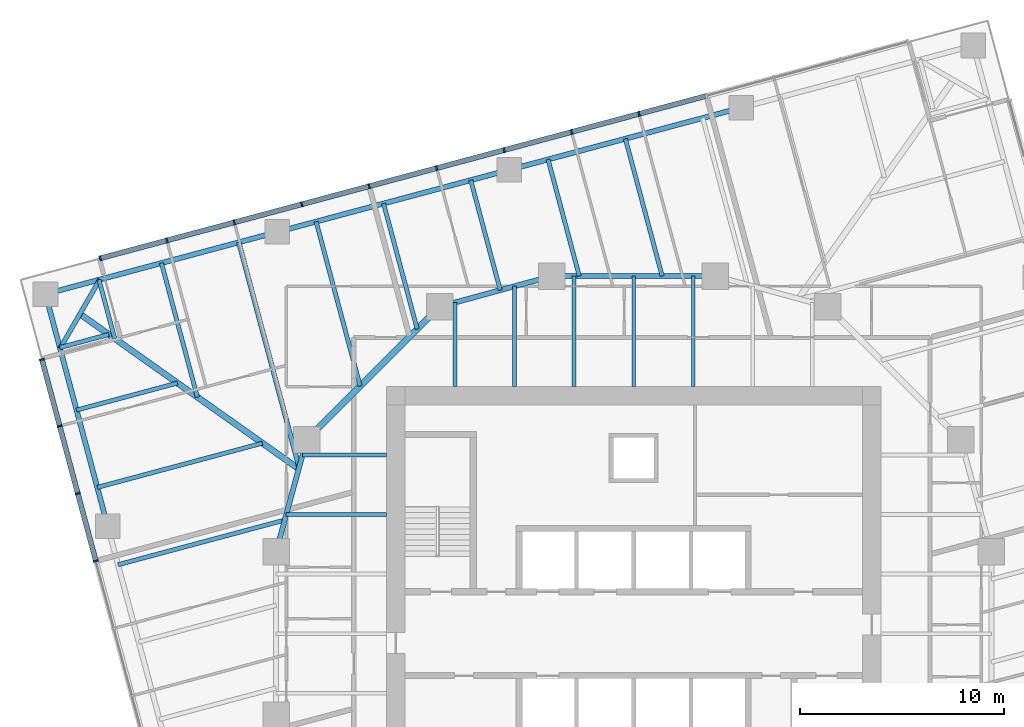
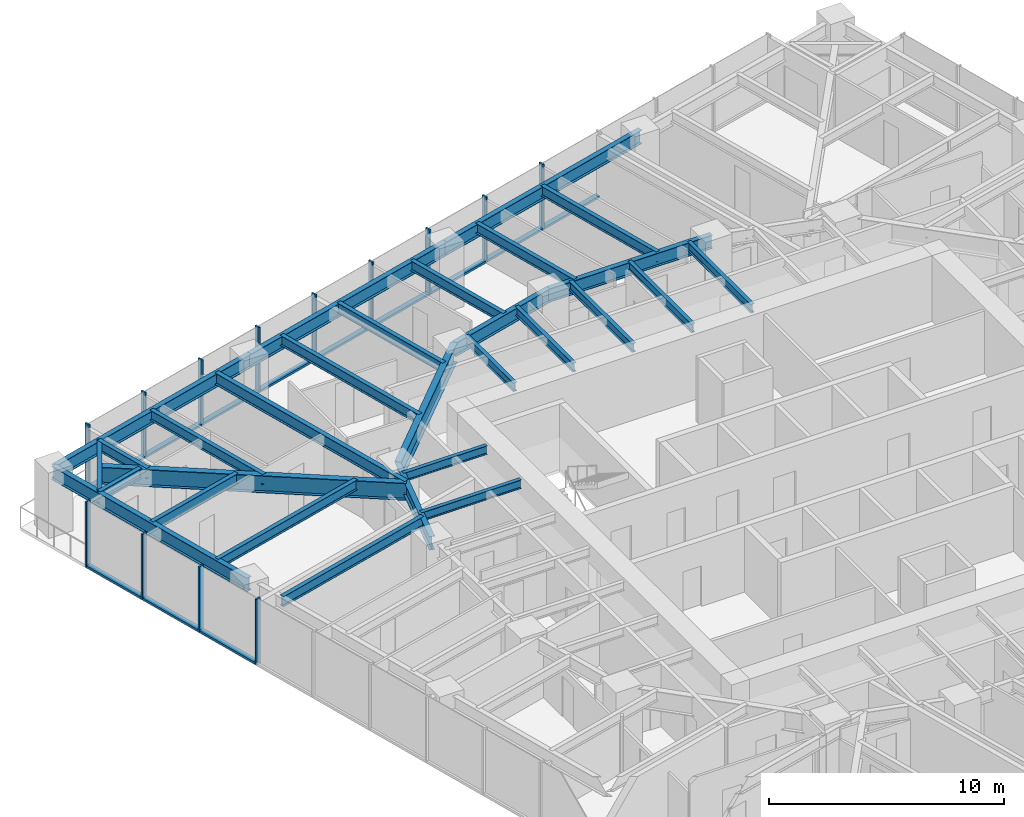
# One storey, part 5 of 13: 29 beams, 25 members, 2 elements without a shape of their own.
"""IFC4 building model written with IfcOpenShell, lengths in metres."""

from ifc_helpers import new_model, si_unit, direction, frame, origin, origin_2d, place, context, subcontext, project, spatial, rectangle, i_section, extrude, material, material_profile, profile_set, type_object, element, aggregate, save


model = new_model("IFC4")

# Units and contexts
model_context = context("Model", 3, precision=1e-05, world=origin(), true_north=direction((0.0, 1.0)))
body_context = subcontext(model_context, "Body", "Model", "MODEL_VIEW")
ifc_project = project(units=[si_unit("LENGTHUNIT", "METRE"), si_unit("AREAUNIT", "SQUARE_METRE"), si_unit("VOLUMEUNIT", "CUBIC_METRE"), si_unit("PLANEANGLEUNIT", "RADIAN"), si_unit("MASSUNIT", "GRAM", prefix="KILO")], contexts=[model_context])

# Site, building, storey
site_placement = place(None, origin())
site = spatial("IfcSite", under=ifc_project, at=site_placement, CompositionType="ELEMENT")
building_placement = place(site_placement, origin())
building = spatial("IfcBuilding", under=site, at=building_placement, Name="Torsade Residences", CompositionType="ELEMENT")
storey_placement = place(building_placement, frame((0.0, 0.0, 115.0)))
storey = spatial("IfcBuildingStorey", under=building, at=storey_placement, Name="L31", CompositionType="ELEMENT", Elevation=115.0)

# Beams
ifc_material_1 = material(Name="Steel grade 300", Category="steel")
ifc_material_profile_1 = material_profile(ifc_material_1, i_section(OverallWidth=0.300048828125, OverallDepth=0.89990234375, WebThickness=0.011962890625, FlangeThickness=0.02490234375, at=origin_2d()), Name="900WB175")
ifc_profile_set_1 = profile_set([ifc_material_profile_1], Name="Steel grade 300")
beam_type_1 = type_object("IfcBeamType", Name="CORNER GIRDER 900WB175", PredefinedType="BEAM", material=ifc_profile_set_1)
beam_1_placement = place(storey_placement, frame((12.902587890625, 45.644775390625, 2.800048828125), z_axis=(0.816261084801, -0.577683167004, 0.0), x_axis=(0.577683167004, 0.816261084801, 0.0)))
element("IfcBeam", 1, at=beam_1_placement, inside=storey, type_object=beam_type_1, Name="Corner girder 13 L32", PredefinedType="BEAM", context=body_context, shape_type="SweptSolid", body=[
    extrude(i_section(OverallWidth=0.300048828125, OverallDepth=0.89990234375, WebThickness=0.011962890625, FlangeThickness=0.02490234375, at=origin_2d()), origin(), (0.0, 0.0, 1.0), 13.116943359375),
])
ifc_material_2 = material(Name="Steel grade 300", Category="steel")
ifc_material_profile_2 = material_profile(ifc_material_2, i_section(OverallWidth=0.22802734375, OverallDepth=0.60205078125, WebThickness=0.010498046875, FlangeThickness=0.014892578125, FilletRadius=0.013916015625, at=origin_2d()), Name="610UB101")
ifc_profile_set_2 = profile_set([ifc_material_profile_2], Name="Steel grade 300")
beam_type_2 = type_object("IfcBeamType", Name="CORNER TRIMMER 610UB101", PredefinedType="BEAM", material=ifc_profile_set_2)
beam_2_placement = place(storey_placement, frame((11.93017578125, 43.960693359375, 2.948974609375), z_axis=(0.499994147244, 0.866028782848, 0.0), x_axis=(-0.866028782848, 0.499994147244, 0.0)))
element("IfcBeam", 2, at=beam_2_placement, inside=storey, type_object=beam_type_2, Name="Corner trimmer 13 L32", PredefinedType="BEAM", context=body_context, shape_type="SweptSolid", body=[
    extrude(i_section(OverallWidth=0.22802734375, OverallDepth=0.60205078125, WebThickness=0.010498046875, FlangeThickness=0.014892578125, FilletRadius=0.013916015625, at=origin_2d()), origin(), (0.0, 0.0, 1.0), 3.88916015625),
])
ifc_material_3 = material(Name="Steel grade 300", Category="steel")
ifc_material_profile_3 = material_profile(ifc_material_3, i_section(OverallWidth=0.25, OverallDepth=0.699951171875, WebThickness=0.010009765625, FlangeThickness=0.02001953125, at=origin_2d()), Name="700WB130")
ifc_profile_set_3 = profile_set([ifc_material_profile_3], Name="Steel grade 300")
beam_type_3 = type_object("IfcBeamType", Name="EDGE BEAM 700WB130", PredefinedType="SPANDREL", material=ifc_profile_set_3)
for number, where, z_axis, x_axis, name in (
    (3, (45.267333984375, 55.740478515625, 2.89990234375), (-0.965922824118, -0.258830249097, 0.0), (0.258830249097, -0.965922824118, 0.0), "Edge beam 10 L32"),
    (4, (33.917724609375, 52.69921875, 2.89990234375), (-0.965928018634, -0.258810863021, 0.0), (0.258810863021, -0.965928018634, 0.0), "Edge beam 11 L32"),
    (5, (22.568115234375, 49.658203125, 2.89990234375), (-0.965922824118, -0.258830249097, 0.0), (0.258830249097, -0.965922824118, 0.0), "Edge beam 12 L32"),
    (6, (11.218505859375, 46.616943359375, 2.89990234375), (0.258810863021, -0.965928018634, 0.0), (0.965928018634, 0.258810863021, 0.0), "Edge beam 13 L32"),
):
    element("IfcBeam", number, at=place(storey_placement, frame(where, z_axis=z_axis, x_axis=x_axis)), inside=storey, type_object=beam_type_3, Name=name, PredefinedType="SPANDREL", context=body_context, shape_type="SweptSolid", body=[
        extrude(i_section(OverallWidth=0.25, OverallDepth=0.699951171875, WebThickness=0.010009765625, FlangeThickness=0.02001953125, at=origin_2d()), origin(), (0.0, 0.0, 1.0), 11.75),
    ])
ifc_material_4 = material(Name="Steel grade 300", Category="steel")
ifc_material_profile_4 = material_profile(ifc_material_4, i_section(OverallWidth=0.18994140625, OverallDepth=0.4541015625, WebThickness=0.008544921875, FlangeThickness=0.0126953125, FilletRadius=0.011474609375, at=origin_2d()), Name="460UB67.1")
ifc_profile_set_4 = profile_set([ifc_material_profile_4], Name="Steel grade 300")
beam_type_4 = type_object("IfcBeamType", Name="INNER FLOOR BEAM 460UB67.1", PredefinedType="JOIST", material=ifc_profile_set_4)
beam_3_placement = place(storey_placement, frame((31.262451171875, 42.10009765625, 3.02294921875), z_axis=(0.0, 1.0, 0.0), x_axis=(-1.0, 0.0, 0.0)))
element("IfcBeam", 7, at=beam_3_placement, inside=storey, type_object=beam_type_4, Name="Inner floor beam IN01 L32", PredefinedType="JOIST", context=body_context, shape_type="SweptSolid", body=[
    extrude(i_section(OverallWidth=0.18994140625, OverallDepth=0.4541015625, WebThickness=0.008544921875, FlangeThickness=0.0126953125, FilletRadius=0.011474609375, at=origin_2d()), origin(), (0.0, 0.0, 1.0), 4.10791015625),
])
beam_4_placement = place(storey_placement, frame((34.175048828125, 42.10009765625, 3.02294921875), z_axis=(0.0, 1.0, 0.0), x_axis=(-1.0, 0.0, 0.0)))
element("IfcBeam", 8, at=beam_4_placement, inside=storey, type_object=beam_type_4, Name="Inner floor beam IN02 L32", PredefinedType="JOIST", context=body_context, shape_type="SweptSolid", body=[
    extrude(i_section(OverallWidth=0.18994140625, OverallDepth=0.4541015625, WebThickness=0.008544921875, FlangeThickness=0.0126953125, FilletRadius=0.011474609375, at=origin_2d()), origin(), (0.0, 0.0, 1.0), 4.902099609375),
])
for number, where, z_axis, x_axis, name in (
    (9, (37.08740234375, 42.10009765625, 3.02294921875), (0.0, 1.0, 0.0), (-1.0, 0.0, 0.0), "Inner floor beam IN03 L32"),
    (10, (40.0, 42.10009765625, 3.02294921875), (0.0, 1.0, 0.0), (-1.0, 0.0, 0.0), "Inner floor beam IN04 L32"),
    (11, (42.91259765625, 42.10009765625, 3.02294921875), (0.0, 1.0, 0.0), (-1.0, 0.0, 0.0), "Inner floor beam IN05 L32"),
):
    element("IfcBeam", number, at=place(storey_placement, frame(where, z_axis=z_axis, x_axis=x_axis)), inside=storey, type_object=beam_type_4, Name=name, PredefinedType="JOIST", context=body_context, shape_type="SweptSolid", body=[
        extrude(i_section(OverallWidth=0.18994140625, OverallDepth=0.4541015625, WebThickness=0.008544921875, FlangeThickness=0.0126953125, FilletRadius=0.011474609375, at=origin_2d()), origin(), (0.0, 0.0, 1.0), 5.39990234375),
    ])
beam_5_placement = place(storey_placement, frame((27.89990234375, 38.737548828125, 3.02294921875), z_axis=(-1.0, 0.0, 0.0), x_axis=(0.0, -1.0, 0.0)))
element("IfcBeam", 12, at=beam_5_placement, inside=storey, type_object=beam_type_4, Name="Inner floor beam IW01 L32", PredefinedType="JOIST", context=body_context, shape_type="SweptSolid", body=[
    extrude(i_section(OverallWidth=0.18994140625, OverallDepth=0.4541015625, WebThickness=0.008544921875, FlangeThickness=0.0126953125, FilletRadius=0.011474609375, at=origin_2d()), origin(), (0.0, 0.0, 1.0), 4.10791015625),
])
beam_6_placement = place(storey_placement, frame((27.89990234375, 35.824951171875, 3.02294921875), z_axis=(-1.0, 0.0, 0.0), x_axis=(0.0, -1.0, 0.0)))
element("IfcBeam", 13, at=beam_6_placement, inside=storey, type_object=beam_type_4, Name="Inner floor beam IW02 L32", PredefinedType="JOIST", context=body_context, shape_type="SweptSolid", body=[
    extrude(i_section(OverallWidth=0.18994140625, OverallDepth=0.4541015625, WebThickness=0.008544921875, FlangeThickness=0.0126953125, FilletRadius=0.011474609375, at=origin_2d()), origin(), (0.0, 0.0, 1.0), 4.902099609375),
])

# Curtain wall, members
ifc_material_5 = material(Name="Aluminium and glass", Category="aluminium")
curtain_wall_type = type_object("IfcCurtainWallType", Name="FRITTED GLASS CURTAIN WALL MID ZONE", PredefinedType="NOTDEFINED", material=ifc_material_5)
curtain_wall_1_placement = place(storey_placement, origin())
curtain_wall_1 = element("IfcCurtainWall", 14, at=curtain_wall_1_placement, inside=storey, type_object=curtain_wall_type, Name="Curtain wall L31 face 7", PredefinedType="NOTDEFINED")
ifc_material_6 = material(Name="Aluminium mullion", Category="aluminium")
ifc_material_profile_5 = material_profile(ifc_material_6, rectangle(XDim=0.25, YDim=0.080078125, at=origin_2d()), Name="MID ZONE CURTAIN WALL MULLION 250x80")
ifc_profile_set_5 = profile_set([ifc_material_profile_5], Name="Aluminium mullion")
member_type_1 = type_object("IfcMemberType", Name="MID ZONE CURTAIN WALL MULLION 250x80", PredefinedType="MULLION", material=ifc_profile_set_5)
member_1_placement = place(storey_placement, frame((40.259521484375, 55.433837890625, 0.0), z_axis=(0.0, 0.0, 1.0), x_axis=(0.258819047783, -0.965925825571, 0.0)))
member_1 = element("IfcMember", 15, at=member_1_placement, type_object=member_type_1, Name="Mullion 5", PredefinedType="MULLION", context=body_context, shape_type="SweptSolid", body=[
    extrude(rectangle(XDim=0.25, YDim=0.080078125, at=origin_2d()), origin(), (0.0, 0.0, 1.0), 3.39990234375),
])
member_2_placement = place(storey_placement, frame((36.959228515625, 54.549560546875, 0.0), z_axis=(0.0, 0.0, 1.0), x_axis=(0.258819047783, -0.965925825571, 0.0)))
member_2 = element("IfcMember", 16, at=member_2_placement, type_object=member_type_1, Name="Mullion 6", PredefinedType="MULLION", context=body_context, shape_type="SweptSolid", body=[
    extrude(rectangle(XDim=0.25, YDim=0.080078125, at=origin_2d()), origin(), (0.0, 0.0, 1.0), 3.39990234375),
])
member_3_placement = place(storey_placement, frame((33.658935546875, 53.665283203125, 0.0), z_axis=(0.0, 0.0, 1.0), x_axis=(0.258819047783, -0.965925825571, 0.0)))
member_3 = element("IfcMember", 17, at=member_3_placement, type_object=member_type_1, Name="Mullion 7", PredefinedType="MULLION", context=body_context, shape_type="SweptSolid", body=[
    extrude(rectangle(XDim=0.25, YDim=0.080078125, at=origin_2d()), origin(), (0.0, 0.0, 1.0), 3.39990234375),
])
member_4_placement = place(storey_placement, frame((30.358642578125, 52.781005859375, 0.0), z_axis=(0.0, 0.0, 1.0), x_axis=(0.258819047783, -0.965925825571, 0.0)))
member_4 = element("IfcMember", 18, at=member_4_placement, type_object=member_type_1, Name="Mullion 8", PredefinedType="MULLION", context=body_context, shape_type="SweptSolid", body=[
    extrude(rectangle(XDim=0.25, YDim=0.080078125, at=origin_2d()), origin(), (0.0, 0.0, 1.0), 3.39990234375),
])
member_5_placement = place(storey_placement, frame((27.058349609375, 51.896484375, 0.0), z_axis=(0.0, 0.0, 1.0), x_axis=(0.258819047783, -0.965925825571, 0.0)))
member_5 = element("IfcMember", 19, at=member_5_placement, type_object=member_type_1, Name="Mullion 9", PredefinedType="MULLION", context=body_context, shape_type="SweptSolid", body=[
    extrude(rectangle(XDim=0.25, YDim=0.080078125, at=origin_2d()), origin(), (0.0, 0.0, 1.0), 3.39990234375),
])
member_6_placement = place(storey_placement, frame((23.75830078125, 51.01220703125, 0.0), z_axis=(0.0, 0.0, 1.0), x_axis=(0.258819047783, -0.965925825571, 0.0)))
member_6 = element("IfcMember", 20, at=member_6_placement, type_object=member_type_1, Name="Mullion 10", PredefinedType="MULLION", context=body_context, shape_type="SweptSolid", body=[
    extrude(rectangle(XDim=0.25, YDim=0.080078125, at=origin_2d()), origin(), (0.0, 0.0, 1.0), 3.39990234375),
])
member_7_placement = place(storey_placement, frame((20.4580078125, 50.1279296875, 0.0), z_axis=(0.0, 0.0, 1.0), x_axis=(0.258819047783, -0.965925825571, 0.0)))
member_7 = element("IfcMember", 21, at=member_7_placement, type_object=member_type_1, Name="Mullion 11", PredefinedType="MULLION", context=body_context, shape_type="SweptSolid", body=[
    extrude(rectangle(XDim=0.25, YDim=0.080078125, at=origin_2d()), origin(), (0.0, 0.0, 1.0), 3.39990234375),
])
member_8_placement = place(storey_placement, frame((17.15771484375, 49.24365234375, 0.0), z_axis=(0.0, 0.0, 1.0), x_axis=(0.258819047783, -0.965925825571, 0.0)))
member_8 = element("IfcMember", 22, at=member_8_placement, type_object=member_type_1, Name="Mullion 12", PredefinedType="MULLION", context=body_context, shape_type="SweptSolid", body=[
    extrude(rectangle(XDim=0.25, YDim=0.080078125, at=origin_2d()), origin(), (0.0, 0.0, 1.0), 3.39990234375),
])
member_9_placement = place(storey_placement, frame((13.89599609375, 48.36962890625, 0.0), z_axis=(0.0, 0.0, 1.0), x_axis=(0.258819047783, -0.965925825571, 0.0)))
member_9 = element("IfcMember", 23, at=member_9_placement, type_object=member_type_1, Name="Mullion 13", PredefinedType="MULLION", context=body_context, shape_type="SweptSolid", body=[
    extrude(rectangle(XDim=0.25, YDim=0.080078125, at=origin_2d()), origin(), (0.0, 0.0, 1.0), 3.39990234375),
])

curtain_wall_2_placement = place(storey_placement, origin())
curtain_wall_2 = element("IfcCurtainWall", 24, at=curtain_wall_2_placement, inside=storey, type_object=curtain_wall_type, Name="Curtain wall L31 face 10", PredefinedType="NOTDEFINED")
member_10_placement = place(storey_placement, frame((11.039306640625, 43.421875, 0.0), z_axis=(0.0, 0.0, 1.0), x_axis=(0.965925825571, 0.258819047783, 0.0)))
member_10 = element("IfcMember", 25, at=member_10_placement, type_object=member_type_1, Name="Mullion 1", PredefinedType="MULLION", context=body_context, shape_type="SweptSolid", body=[
    extrude(rectangle(XDim=0.25, YDim=0.080078125, at=origin_2d()), origin(), (0.0, 0.0, 1.0), 3.39990234375),
])
member_11_placement = place(storey_placement, frame((11.913330078125, 40.16015625, 0.0), z_axis=(0.0, 0.0, 1.0), x_axis=(0.965925825571, 0.258819047783, 0.0)))
member_11 = element("IfcMember", 26, at=member_11_placement, type_object=member_type_1, Name="Mullion 2", PredefinedType="MULLION", context=body_context, shape_type="SweptSolid", body=[
    extrude(rectangle(XDim=0.25, YDim=0.080078125, at=origin_2d()), origin(), (0.0, 0.0, 1.0), 3.39990234375),
])
member_12_placement = place(storey_placement, frame((12.797607421875, 36.85986328125, 0.0), z_axis=(0.0, 0.0, 1.0), x_axis=(0.965925825571, 0.258819047783, 0.0)))
member_12 = element("IfcMember", 27, at=member_12_placement, type_object=member_type_1, Name="Mullion 3", PredefinedType="MULLION", context=body_context, shape_type="SweptSolid", body=[
    extrude(rectangle(XDim=0.25, YDim=0.080078125, at=origin_2d()), origin(), (0.0, 0.0, 1.0), 3.39990234375),
])
member_13_placement = place(storey_placement, frame((13.681884765625, 33.5595703125, 0.0), z_axis=(0.0, 0.0, 1.0), x_axis=(0.965925825571, 0.258819047783, 0.0)))
member_13 = element("IfcMember", 28, at=member_13_placement, type_object=member_type_1, Name="Mullion 4", PredefinedType="MULLION", context=body_context, shape_type="SweptSolid", body=[
    extrude(rectangle(XDim=0.25, YDim=0.080078125, at=origin_2d()), origin(), (0.0, 0.0, 1.0), 3.39990234375),
])

# Member
ifc_material_7 = material(Name="Aluminium transom", Category="aluminium")
ifc_material_profile_6 = material_profile(ifc_material_7, rectangle(XDim=0.25, YDim=0.110107421875, at=origin_2d()), Name="MID ZONE CURTAIN WALL TRANSOM 250x110")
ifc_profile_set_6 = profile_set([ifc_material_profile_6], Name="Aluminium transom")
member_type_2 = type_object("IfcMemberType", Name="MID ZONE CURTAIN WALL TRANSOM 250x110", PredefinedType="USERDEFINED", material=ifc_profile_set_6)
member_14_placement = place(storey_placement, frame((43.52099609375, 56.3076171875, 0.054931640625), z_axis=(-0.965929435155, -0.258805576255, 0.0), x_axis=(0.258805576255, -0.965929435155, 0.0)))
member_14 = element("IfcMember", 29, at=member_14_placement, type_object=member_type_2, Name="Transom 4.1", ObjectType="TRANSOM", PredefinedType="USERDEFINED", context=body_context, shape_type="SweptSolid", body=[
    extrude(rectangle(XDim=0.25, YDim=0.110107421875, at=origin_2d()), origin(), (0.0, 0.0, 1.0), 3.336669921875),
])

member_15_placement = place(storey_placement, frame((40.220703125, 55.42333984375, 0.054931640625), z_axis=(-0.965929435155, -0.258805576255, 0.0), x_axis=(0.258805576255, -0.965929435155, 0.0)))
member_15 = element("IfcMember", 30, at=member_15_placement, type_object=member_type_2, Name="Transom 5.1", ObjectType="TRANSOM", PredefinedType="USERDEFINED", context=body_context, shape_type="SweptSolid", body=[
    extrude(rectangle(XDim=0.25, YDim=0.110107421875, at=origin_2d()), origin(), (0.0, 0.0, 1.0), 3.336669921875),
])

member_16_placement = place(storey_placement, frame((36.920654296875, 54.5390625, 0.054931640625), z_axis=(-0.965934335648, -0.258787285653, 0.0), x_axis=(0.258787285653, -0.965934335648, 0.0)))
member_16 = element("IfcMember", 31, at=member_16_placement, type_object=member_type_2, Name="Transom 6.1", ObjectType="TRANSOM", PredefinedType="USERDEFINED", context=body_context, shape_type="SweptSolid", body=[
    extrude(rectangle(XDim=0.25, YDim=0.110107421875, at=origin_2d()), origin(), (0.0, 0.0, 1.0), 3.3369140625),
])

member_17_placement = place(storey_placement, frame((33.620361328125, 53.65478515625, 0.054931640625), z_axis=(-0.965934335648, -0.258787285653, 0.0), x_axis=(0.258787285653, -0.965934335648, 0.0)))
member_17 = element("IfcMember", 32, at=member_17_placement, type_object=member_type_2, Name="Transom 7.1", ObjectType="TRANSOM", PredefinedType="USERDEFINED", context=body_context, shape_type="SweptSolid", body=[
    extrude(rectangle(XDim=0.25, YDim=0.110107421875, at=origin_2d()), origin(), (0.0, 0.0, 1.0), 3.3369140625),
])

member_18_placement = place(storey_placement, frame((30.320068359375, 52.7705078125, 0.054931640625), z_axis=(-0.965929435155, -0.258805576255, 0.0), x_axis=(0.258805576255, -0.965929435155, 0.0)))
member_18 = element("IfcMember", 33, at=member_18_placement, type_object=member_type_2, Name="Transom 8.1", ObjectType="TRANSOM", PredefinedType="USERDEFINED", context=body_context, shape_type="SweptSolid", body=[
    extrude(rectangle(XDim=0.25, YDim=0.110107421875, at=origin_2d()), origin(), (0.0, 0.0, 1.0), 3.336669921875),
])

member_19_placement = place(storey_placement, frame((27.019775390625, 51.88623046875, 0.054931640625), z_axis=(-0.965929435155, -0.258805576255, 0.0), x_axis=(0.258805576255, -0.965929435155, 0.0)))
member_19 = element("IfcMember", 34, at=member_19_placement, type_object=member_type_2, Name="Transom 9.1", ObjectType="TRANSOM", PredefinedType="USERDEFINED", context=body_context, shape_type="SweptSolid", body=[
    extrude(rectangle(XDim=0.25, YDim=0.110107421875, at=origin_2d()), origin(), (0.0, 0.0, 1.0), 3.336669921875),
])

member_20_placement = place(storey_placement, frame((23.719482421875, 51.001953125, 0.054931640625), z_axis=(-0.965929435155, -0.258805576255, 0.0), x_axis=(0.258805576255, -0.965929435155, 0.0)))
member_20 = element("IfcMember", 35, at=member_20_placement, type_object=member_type_2, Name="Transom 10.1", ObjectType="TRANSOM", PredefinedType="USERDEFINED", context=body_context, shape_type="SweptSolid", body=[
    extrude(rectangle(XDim=0.25, YDim=0.110107421875, at=origin_2d()), origin(), (0.0, 0.0, 1.0), 3.336669921875),
])

member_21_placement = place(storey_placement, frame((20.419189453125, 50.11767578125, 0.054931640625), z_axis=(-0.965929435155, -0.258805576255, 0.0), x_axis=(0.258805576255, -0.965929435155, 0.0)))
member_21 = element("IfcMember", 36, at=member_21_placement, type_object=member_type_2, Name="Transom 11.1", ObjectType="TRANSOM", PredefinedType="USERDEFINED", context=body_context, shape_type="SweptSolid", body=[
    extrude(rectangle(XDim=0.25, YDim=0.110107421875, at=origin_2d()), origin(), (0.0, 0.0, 1.0), 3.336669921875),
])

member_22_placement = place(storey_placement, frame((17.119140625, 49.2333984375, 0.054931640625), z_axis=(-0.965923258633, -0.258828627534, 0.0), x_axis=(0.258828627534, -0.965923258633, 0.0)))
member_22 = element("IfcMember", 37, at=member_22_placement, type_object=member_type_2, Name="Transom 12.1", ObjectType="TRANSOM", PredefinedType="USERDEFINED", context=body_context, shape_type="SweptSolid", body=[
    extrude(rectangle(XDim=0.25, YDim=0.110107421875, at=origin_2d()), origin(), (0.0, 0.0, 1.0), 3.296630859375),
])

aggregate(curtain_wall_1, [member_1, member_2, member_3, member_4, member_5, member_6, member_7, member_8, member_9, member_14, member_15, member_16, member_17, member_18, member_19, member_20, member_21, member_22])

member_23_placement = place(storey_placement, frame((11.0498046875, 43.383056640625, 0.054931640625), z_axis=(0.258828627534, -0.965923258633, 0.0), x_axis=(0.965923258633, 0.258828627534, 0.0)))
member_23 = element("IfcMember", 38, at=member_23_placement, type_object=member_type_2, Name="Transom 1.1", ObjectType="TRANSOM", PredefinedType="USERDEFINED", context=body_context, shape_type="SweptSolid", body=[
    extrude(rectangle(XDim=0.25, YDim=0.110107421875, at=origin_2d()), origin(), (0.0, 0.0, 1.0), 3.296630859375),
])

member_24_placement = place(storey_placement, frame((11.923583984375, 40.12158203125, 0.054931640625), z_axis=(0.258855549498, -0.965916044226, 0.0), x_axis=(0.965916044226, 0.258855549498, 0.0)))
member_24 = element("IfcMember", 39, at=member_24_placement, type_object=member_type_2, Name="Transom 2.1", ObjectType="TRANSOM", PredefinedType="USERDEFINED", context=body_context, shape_type="SweptSolid", body=[
    extrude(rectangle(XDim=0.25, YDim=0.110107421875, at=origin_2d()), origin(), (0.0, 0.0, 1.0), 3.3369140625),
])

member_25_placement = place(storey_placement, frame((12.807861328125, 36.8212890625, 0.054931640625), z_axis=(0.258873844232, -0.96591114124, 0.0), x_axis=(0.96591114124, 0.258873844232, 0.0)))
member_25 = element("IfcMember", 40, at=member_25_placement, type_object=member_type_2, Name="Transom 3.1", ObjectType="TRANSOM", PredefinedType="USERDEFINED", context=body_context, shape_type="SweptSolid", body=[
    extrude(rectangle(XDim=0.25, YDim=0.110107421875, at=origin_2d()), origin(), (0.0, 0.0, 1.0), 3.336669921875),
])

aggregate(curtain_wall_2, [member_10, member_11, member_12, member_13, member_23, member_24, member_25])

# Beams
ifc_material_8 = material(Name="Steel grade 300", Category="steel")
ifc_material_profile_7 = material_profile(ifc_material_8, i_section(OverallWidth=0.300048828125, OverallDepth=1.0, WebThickness=0.01611328125, FlangeThickness=0.028076171875, at=origin_2d()), Name="1000WB215")
ifc_profile_set_7 = profile_set([ifc_material_profile_7], Name="Steel grade 300")
beam_type_5 = type_object("IfcBeamType", Name="RING CORNER GIRDER 1000WB215", PredefinedType="BEAM", material=ifc_profile_set_7)
beam_7_placement = place(storey_placement, frame((30.5, 46.0, 2.75), z_axis=(-0.707106781187, -0.707106781187, 0.0), x_axis=(0.707106781187, -0.707106781187, 0.0)))
element("IfcBeam", 41, at=beam_7_placement, inside=storey, type_object=beam_type_5, Name="Ring girder IR07 L32", PredefinedType="BEAM", context=body_context, shape_type="SweptSolid", body=[
    extrude(i_section(OverallWidth=0.300048828125, OverallDepth=1.0, WebThickness=0.01611328125, FlangeThickness=0.028076171875, at=origin_2d()), origin(), (0.0, 0.0, 1.0), 9.1923828125),
])
ifc_material_9 = material(Name="Steel grade 300", Category="steel")
ifc_material_profile_8 = material_profile(ifc_material_9, i_section(OverallWidth=0.25, OverallDepth=0.699951171875, WebThickness=0.010009765625, FlangeThickness=0.02001953125, at=origin_2d()), Name="700WB130")
ifc_profile_set_8 = profile_set([ifc_material_profile_8], Name="Steel grade 300")
beam_type_6 = type_object("IfcBeamType", Name="RING GIRDER 700WB130", PredefinedType="BEAM", material=ifc_profile_set_8)
beam_8_placement = place(storey_placement, frame((44.0, 47.5, 2.89990234375), z_axis=(-1.0, 0.0, 0.0), x_axis=(0.0, -1.0, 0.0)))
element("IfcBeam", 42, at=beam_8_placement, inside=storey, type_object=beam_type_6, Name="Ring girder IR05 L32", PredefinedType="BEAM", context=body_context, shape_type="SweptSolid", body=[
    extrude(i_section(OverallWidth=0.25, OverallDepth=0.699951171875, WebThickness=0.010009765625, FlangeThickness=0.02001953125, at=origin_2d()), origin(), (0.0, 0.0, 1.0), 8.0),
])
for number, where, z_axis, x_axis, name in (
    (43, (36.0, 47.5, 2.89990234375), (-0.964763821238, -0.263117405792, 0.0), (0.263117405792, -0.964763821238, 0.0), "Ring girder IR06 L32"),
    (44, (24.0, 39.5, 2.89990234375), (-0.263117405792, -0.964763821238, 0.0), (0.964763821238, -0.263117405792, 0.0), "Ring girder IR08 L32"),
):
    element("IfcBeam", number, at=place(storey_placement, frame(where, z_axis=z_axis, x_axis=x_axis)), inside=storey, type_object=beam_type_6, Name=name, PredefinedType="BEAM", context=body_context, shape_type="SweptSolid", body=[
        extrude(i_section(OverallWidth=0.25, OverallDepth=0.699951171875, WebThickness=0.010009765625, FlangeThickness=0.02001953125, at=origin_2d()), origin(), (0.0, 0.0, 1.0), 5.700927734375),
    ])
ifc_material_10 = material(Name="Steel grade 300", Category="steel")
ifc_material_profile_9 = material_profile(ifc_material_10, i_section(OverallWidth=0.208984375, OverallDepth=0.528076171875, WebThickness=0.009521484375, FlangeThickness=0.01318359375, FilletRadius=0.013916015625, at=origin_2d()), Name="530UB82.0")
ifc_profile_set_9 = profile_set([ifc_material_profile_9], Name="Steel grade 300")
beam_type_7 = type_object("IfcBeamType", Name="SECONDARY BEAM 530UB82.0", PredefinedType="JOIST", material=ifc_profile_set_9)
beam_9_placement = place(storey_placement, frame((39.592529296875, 54.2197265625, 2.986083984375), z_axis=(0.258817945835, -0.965926120836, 0.0), x_axis=(0.965926120836, 0.258817945835, 0.0)))
element("IfcBeam", 45, at=beam_9_placement, inside=storey, type_object=beam_type_7, Name="Floor beam FN05 L32", PredefinedType="JOIST", context=body_context, shape_type="SweptSolid", body=[
    extrude(i_section(OverallWidth=0.208984375, OverallDepth=0.528076171875, WebThickness=0.009521484375, FlangeThickness=0.01318359375, FilletRadius=0.013916015625, at=origin_2d()), origin(), (0.0, 0.0, 1.0), 6.956787109375),
])
beam_10_placement = place(storey_placement, frame((35.809326171875, 53.2060546875, 2.986083984375), z_axis=(0.258837996141, -0.965920748174, 0.0), x_axis=(0.965920748174, 0.258837996141, 0.0)))
element("IfcBeam", 46, at=beam_10_placement, inside=storey, type_object=beam_type_7, Name="Floor beam FN06 L32", PredefinedType="JOIST", context=body_context, shape_type="SweptSolid", body=[
    extrude(i_section(OverallWidth=0.208984375, OverallDepth=0.528076171875, WebThickness=0.009521484375, FlangeThickness=0.01318359375, FilletRadius=0.013916015625, at=origin_2d()), origin(), (0.0, 0.0, 1.0), 5.907470703125),
])
beam_11_placement = place(storey_placement, frame((32.026123046875, 52.1923828125, 2.986083984375), z_axis=(0.258829517553, -0.965923020144, 0.0), x_axis=(0.965923020144, 0.258829517553, 0.0)))
element("IfcBeam", 47, at=beam_11_placement, inside=storey, type_object=beam_type_7, Name="Floor beam FN07 L32", PredefinedType="JOIST", context=body_context, shape_type="SweptSolid", body=[
    extrude(i_section(OverallWidth=0.208984375, OverallDepth=0.528076171875, WebThickness=0.009521484375, FlangeThickness=0.01318359375, FilletRadius=0.013916015625, at=origin_2d()), origin(), (0.0, 0.0, 1.0), 5.57275390625),
])
beam_12_placement = place(storey_placement, frame((27.760009765625, 51.04931640625, 2.986083984375), z_axis=(0.258804520856, -0.965929717932, 0.0), x_axis=(0.965929717932, 0.258804520856, 0.0)))
element("IfcBeam", 48, at=beam_12_placement, inside=storey, type_object=beam_type_7, Name="Floor beam FN08 L32", PredefinedType="JOIST", context=body_context, shape_type="SweptSolid", body=[
    extrude(i_section(OverallWidth=0.208984375, OverallDepth=0.528076171875, WebThickness=0.009521484375, FlangeThickness=0.01318359375, FilletRadius=0.013916015625, at=origin_2d()), origin(), (0.0, 0.0, 1.0), 6.360107421875),
])
beam_13_placement = place(storey_placement, frame((24.459716796875, 50.1650390625, 2.986083984375), z_axis=(0.258833232221, -0.96592202475, 0.0), x_axis=(0.96592202475, 0.258833232221, 0.0)))
element("IfcBeam", 49, at=beam_13_placement, inside=storey, type_object=beam_type_7, Name="Floor beam FN09 L32", PredefinedType="JOIST", context=body_context, shape_type="SweptSolid", body=[
    extrude(i_section(OverallWidth=0.208984375, OverallDepth=0.528076171875, WebThickness=0.009521484375, FlangeThickness=0.01318359375, FilletRadius=0.013916015625, at=origin_2d()), origin(), (0.0, 0.0, 1.0), 8.33251953125),
])
beam_14_placement = place(storey_placement, frame((16.893310546875, 48.137451171875, 2.986083984375), z_axis=(0.258814533235, -0.965927035229, 0.0), x_axis=(0.965927035229, 0.258814533235, 0.0)))
element("IfcBeam", 50, at=beam_14_placement, inside=storey, type_object=beam_type_7, Name="Floor beam FN11 L32", PredefinedType="JOIST", context=body_context, shape_type="SweptSolid", body=[
    extrude(i_section(OverallWidth=0.208984375, OverallDepth=0.528076171875, WebThickness=0.009521484375, FlangeThickness=0.01318359375, FilletRadius=0.013916015625, at=origin_2d()), origin(), (0.0, 0.0, 1.0), 6.792724609375),
])
beam_15_placement = place(storey_placement, frame((13.83447265625, 47.31787109375, 2.986083984375), z_axis=(0.258865750242, -0.965913310475, 0.0), x_axis=(0.965913310475, 0.258865750242, 0.0)))
element("IfcBeam", 51, at=beam_15_placement, inside=storey, type_object=beam_type_7, Name="Floor beam FN12 L32", PredefinedType="JOIST", context=body_context, shape_type="SweptSolid", body=[
    extrude(i_section(OverallWidth=0.208984375, OverallDepth=0.528076171875, WebThickness=0.009521484375, FlangeThickness=0.01318359375, FilletRadius=0.013916015625, at=origin_2d()), origin(), (0.0, 0.0, 1.0), 2.980224609375),
])
beam_16_placement = place(storey_placement, frame((11.91943359375, 44.0009765625, 2.986083984375), z_axis=(0.965920834438, 0.258837674225, 0.0), x_axis=(-0.258837674225, 0.965920834438, 0.0)))
element("IfcBeam", 52, at=beam_16_placement, inside=storey, type_object=beam_type_7, Name="Floor beam FW01 L32", PredefinedType="JOIST", context=body_context, shape_type="SweptSolid", body=[
    extrude(i_section(OverallWidth=0.208984375, OverallDepth=0.528076171875, WebThickness=0.009521484375, FlangeThickness=0.01318359375, FilletRadius=0.013916015625, at=origin_2d()), origin(), (0.0, 0.0, 1.0), 2.482666015625),
])
beam_17_placement = place(storey_placement, frame((12.739013671875, 40.942138671875, 2.986083984375), z_axis=(0.965926736728, 0.258815647274, 0.0), x_axis=(-0.258815647274, 0.965926736728, 0.0)))
element("IfcBeam", 53, at=beam_17_placement, inside=storey, type_object=beam_type_7, Name="Floor beam FW02 L32", PredefinedType="JOIST", context=body_context, shape_type="SweptSolid", body=[
    extrude(i_section(OverallWidth=0.208984375, OverallDepth=0.528076171875, WebThickness=0.009521484375, FlangeThickness=0.01318359375, FilletRadius=0.013916015625, at=origin_2d()), origin(), (0.0, 0.0, 1.0), 5.11279296875),
])
beam_18_placement = place(storey_placement, frame((13.752685546875, 37.158935546875, 2.986083984375), z_axis=(0.965924734258, 0.258823120582, 0.0), x_axis=(-0.258823120582, 0.965924734258, 0.0)))
element("IfcBeam", 54, at=beam_18_placement, inside=storey, type_object=beam_type_7, Name="Floor beam FW03 L32", PredefinedType="JOIST", context=body_context, shape_type="SweptSolid", body=[
    extrude(i_section(OverallWidth=0.208984375, OverallDepth=0.528076171875, WebThickness=0.009521484375, FlangeThickness=0.01318359375, FilletRadius=0.013916015625, at=origin_2d()), origin(), (0.0, 0.0, 1.0), 8.365966796875),
])
beam_19_placement = place(storey_placement, frame((14.766357421875, 33.375732421875, 2.986083984375), z_axis=(0.965928701223, 0.258808315464, 0.0), x_axis=(-0.258808315464, 0.965928701223, 0.0)))
element("IfcBeam", 55, at=beam_19_placement, inside=storey, type_object=beam_type_7, Name="Floor beam FW04 L32", PredefinedType="JOIST", context=body_context, shape_type="SweptSolid", body=[
    extrude(i_section(OverallWidth=0.208984375, OverallDepth=0.528076171875, WebThickness=0.009521484375, FlangeThickness=0.01318359375, FilletRadius=0.013916015625, at=origin_2d()), origin(), (0.0, 0.0, 1.0), 8.447509765625),
])
ifc_material_11 = material(Name="Steel grade 300", Category="steel")
ifc_material_profile_10 = material_profile(ifc_material_11, i_section(OverallWidth=0.22900390625, OverallDepth=0.612060546875, WebThickness=0.011962890625, FlangeThickness=0.01953125, FilletRadius=0.013916015625, at=origin_2d()), Name="610UB125")
ifc_profile_set_10 = profile_set([ifc_material_profile_10], Name="Steel grade 300")
beam_type_8 = type_object("IfcBeamType", Name="SECONDARY BEAM 610UB125", PredefinedType="JOIST", material=ifc_profile_set_10)
beam_20_placement = place(storey_placement, frame((20.676513671875, 49.1513671875, 2.944091796875), z_axis=(0.258807068179, -0.965929035417, 0.0), x_axis=(0.965929035417, 0.258807068179, 0.0)))
element("IfcBeam", 56, at=beam_20_placement, inside=storey, type_object=beam_type_8, Name="Floor beam FN10 L32", PredefinedType="JOIST", context=body_context, shape_type="SweptSolid", body=[
    extrude(i_section(OverallWidth=0.22900390625, OverallDepth=0.612060546875, WebThickness=0.011962890625, FlangeThickness=0.01953125, FilletRadius=0.013916015625, at=origin_2d()), origin(), (0.0, 0.0, 1.0), 11.40380859375),
])

save(model, "model.ifc")
